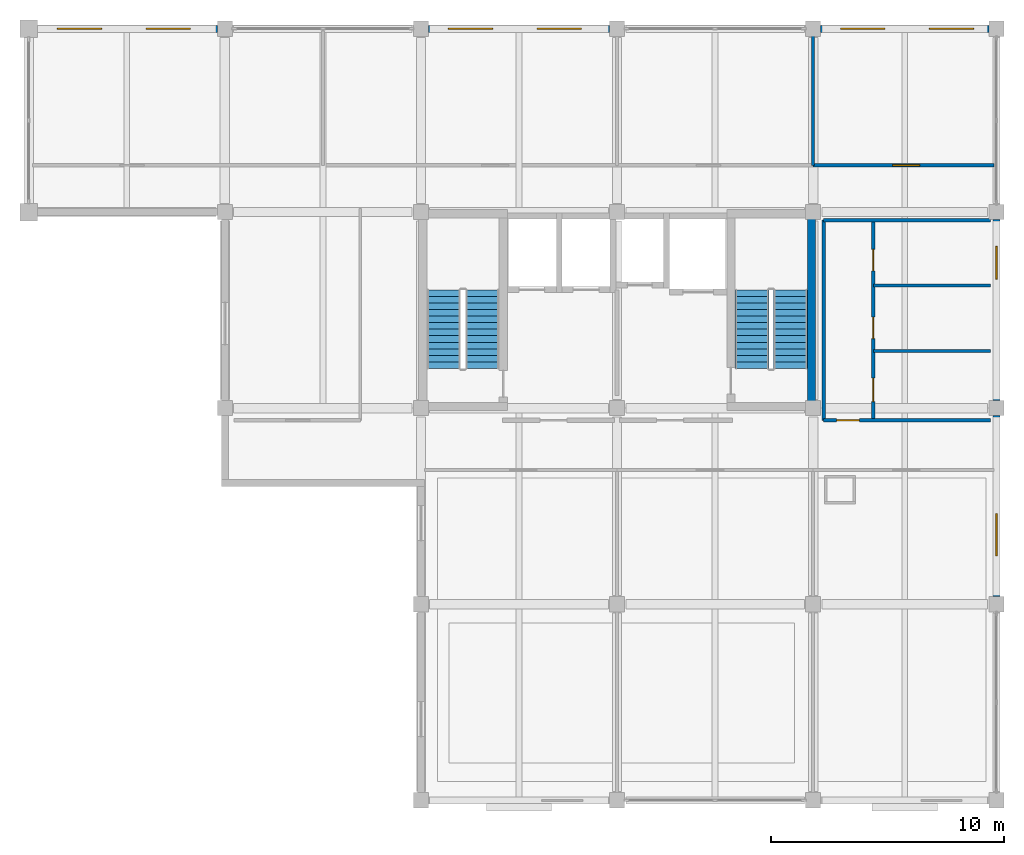
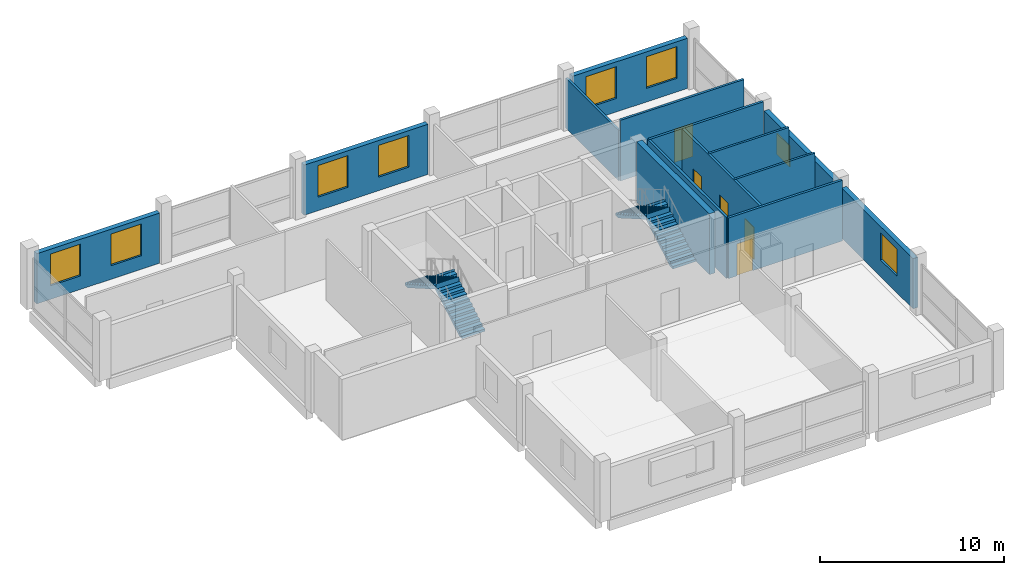
# One storey, part 8 of 9: 14 walls, 8 windows, 5 doors, 4 stair flights, 13 openings, 2 elements without a shape of their own.
"""IFC4 building model written with IfcOpenShell, lengths in metres."""

from ifc_helpers import new_model, si_unit, direction, frame, frame_2d, origin, place, context, subcontext, project, spatial, polyline, rectangle, outline, extrude, material, layer, layer_set, type_object, element, fill, aggregate, save


model = new_model("IFC4")

# Units and contexts
model_context = context("Model", 3, precision=1e-05, world=origin(), true_north=direction((0.0, 1.0)))
body_context = subcontext(model_context, "Body", "Model", "MODEL_VIEW")
ifc_project = project(units=[si_unit("LENGTHUNIT", "METRE"), si_unit("AREAUNIT", "SQUARE_METRE"), si_unit("VOLUMEUNIT", "CUBIC_METRE"), si_unit("PLANEANGLEUNIT", "RADIAN"), si_unit("MASSUNIT", "GRAM", prefix="KILO")], contexts=[model_context])

# Site, building, storey
site_placement = place(None, origin())
site = spatial("IfcSite", under=ifc_project, at=site_placement, CompositionType="ELEMENT")
building_placement = place(site_placement, origin())
building = spatial("IfcBuilding", under=site, at=building_placement, Name="Brinegate Botanical Conservatory", CompositionType="ELEMENT")
storey_placement = place(building_placement, frame((0.0, 0.0, 57.0)))
storey = spatial("IfcBuildingStorey", under=building, at=storey_placement, Name="L14", CompositionType="ELEMENT", Elevation=57.0)

# Wall, openings, windows
ifc_material_1 = material(Name="Insulated Minnan red clay brick masonry", Category="masonry")
ifc_layer_1 = layer(ifc_material_1, 0.300048828125, Name="Insulated Minnan red clay brick masonry", Category="masonry")
ifc_layer_set_1 = layer_set([ifc_layer_1], Name="Insulated Minnan red clay brick masonry")
wall_type_1 = type_object("IfcWallType", Name="Wall_EW-300B", PredefinedType="STANDARD", material=ifc_layer_set_1)
wall_1_placement = place(storey_placement, frame((122.375, 111.449951171875, 0.0), z_axis=(0.0, 0.0, 1.0), x_axis=(1.0, 0.0, 0.0)))
wall_1 = element("IfcWall", 1, at=wall_1_placement, inside=storey, type_object=wall_type_1, Name="Research lab north brick wall L14.1", PredefinedType="STANDARD", context=body_context, shape_type="SweptSolid", body=[
    extrude(rectangle(XDim=7.699951171875, YDim=0.300048828125, at=frame_2d((3.85009765625, 0.0))), origin(), (0.0, 0.0, 1.0), 3.320068359375),
])
opening_1_placement = place(wall_1_placement, frame((0.85009765625, 0.0, 0.89990234375)))
opening_1 = element("IfcOpeningElement", 2, at=opening_1_placement, cuts=wall_1, Name="Opening WN-19", PredefinedType="OPENING", context=body_context, shape_type="SweptSolid", body=[
    extrude(rectangle(XDim=1.89990234375, YDim=2.10009765625, at=frame_2d((0.949951171875, 1.050048828125))), frame((0.0, 0.159912109375, 0.0), z_axis=(0.0, -1.0, 0.0), x_axis=(1.0, 0.0, 0.0)), (0.0, 0.0, 1.0), 0.320068359375),
])
opening_2_placement = place(wall_1_placement, frame((4.64990234375, 0.0, 0.89990234375)))
opening_2 = element("IfcOpeningElement", 3, at=opening_2_placement, cuts=wall_1, Name="Opening WN-19", PredefinedType="OPENING", context=body_context, shape_type="SweptSolid", body=[
    extrude(rectangle(XDim=1.89990234375, YDim=2.10009765625, at=frame_2d((0.949951171875, 1.050048828125))), frame((0.0, 0.159912109375, 0.0), z_axis=(0.0, -1.0, 0.0), x_axis=(1.0, 0.0, 0.0)), (0.0, 0.0, 1.0), 0.320068359375),
])
ifc_material_2 = material(Name="Thermally broken aluminium-framed Low-E glass", Category="aluminium")
window_type_1 = type_object("IfcWindowType", Name="Win_WN-19", PartitioningType="DOUBLE_PANEL_VERTICAL", PredefinedType="WINDOW", material=ifc_material_2)
window_1_placement = place(opening_1_placement, origin())
window_1 = element("IfcWindow", 4, at=window_1_placement, inside=storey, type_object=window_type_1, Name="Research lab north window L14.1A", OverallHeight=2.10009765625, OverallWidth=1.89990234375, PartitioningType="DOUBLE_PANEL_VERTICAL", PredefinedType="WINDOW", context=body_context, shape_type="SweptSolid", body=[
    extrude(rectangle(XDim=1.89990234375, YDim=2.10009765625, at=frame_2d((0.949951171875, 1.050048828125))), frame((0.0, 0.030029296875, 0.0), z_axis=(0.0, -1.0, 0.0), x_axis=(1.0, 0.0, 0.0)), (0.0, 0.0, 1.0), 0.06005859375),
])
fill(opening_1, window_1)
window_2_placement = place(opening_2_placement, origin())
window_2 = element("IfcWindow", 5, at=window_2_placement, inside=storey, type_object=window_type_1, Name="Research lab north window L14.1B", OverallHeight=2.10009765625, OverallWidth=1.89990234375, PartitioningType="DOUBLE_PANEL_VERTICAL", PredefinedType="WINDOW", context=body_context, shape_type="SweptSolid", body=[
    extrude(rectangle(XDim=1.89990234375, YDim=2.10009765625, at=frame_2d((0.949951171875, 1.050048828125))), frame((0.0, 0.030029296875, 0.0), z_axis=(0.0, -1.0, 0.0), x_axis=(1.0, 0.0, 0.0)), (0.0, 0.0, 1.0), 0.06005859375),
])
fill(opening_2, window_2)

wall_2_placement = place(storey_placement, frame((139.125, 111.449951171875, 0.0), z_axis=(0.0, 0.0, 1.0), x_axis=(1.0, 0.0, 0.0)))
wall_2 = element("IfcWall", 6, at=wall_2_placement, inside=storey, type_object=wall_type_1, Name="Research lab north brick wall L14.3", PredefinedType="STANDARD", context=body_context, shape_type="SweptSolid", body=[
    extrude(rectangle(XDim=7.75, YDim=0.300048828125, at=frame_2d((3.875, 0.0))), origin(), (0.0, 0.0, 1.0), 3.320068359375),
])
opening_3_placement = place(wall_2_placement, frame((0.85009765625, 0.0, 0.89990234375)))
opening_3 = element("IfcOpeningElement", 7, at=opening_3_placement, cuts=wall_2, Name="Opening WN-19", PredefinedType="OPENING", context=body_context, shape_type="SweptSolid", body=[
    extrude(rectangle(XDim=1.89990234375, YDim=2.10009765625, at=frame_2d((0.949951171875, 1.050048828125))), frame((0.0, 0.159912109375, 0.0), z_axis=(0.0, -1.0, 0.0), x_axis=(1.0, 0.0, 0.0)), (0.0, 0.0, 1.0), 0.320068359375),
])
opening_4_placement = place(wall_2_placement, frame((4.64990234375, 0.0, 0.89990234375)))
opening_4 = element("IfcOpeningElement", 8, at=opening_4_placement, cuts=wall_2, Name="Opening WN-19", PredefinedType="OPENING", context=body_context, shape_type="SweptSolid", body=[
    extrude(rectangle(XDim=1.89990234375, YDim=2.10009765625, at=frame_2d((0.949951171875, 1.050048828125))), frame((0.0, 0.159912109375, 0.0), z_axis=(0.0, -1.0, 0.0), x_axis=(1.0, 0.0, 0.0)), (0.0, 0.0, 1.0), 0.320068359375),
])
window_3_placement = place(opening_3_placement, origin())
window_3 = element("IfcWindow", 9, at=window_3_placement, inside=storey, type_object=window_type_1, Name="Research lab north window L14.3A", OverallHeight=2.10009765625, OverallWidth=1.89990234375, PartitioningType="DOUBLE_PANEL_VERTICAL", PredefinedType="WINDOW", context=body_context, shape_type="SweptSolid", body=[
    extrude(rectangle(XDim=1.89990234375, YDim=2.10009765625, at=frame_2d((0.949951171875, 1.050048828125))), frame((0.0, 0.030029296875, 0.0), z_axis=(0.0, -1.0, 0.0), x_axis=(1.0, 0.0, 0.0)), (0.0, 0.0, 1.0), 0.06005859375),
])
fill(opening_3, window_3)
window_4_placement = place(opening_4_placement, origin())
window_4 = element("IfcWindow", 10, at=window_4_placement, inside=storey, type_object=window_type_1, Name="Research lab north window L14.3B", OverallHeight=2.10009765625, OverallWidth=1.89990234375, PartitioningType="DOUBLE_PANEL_VERTICAL", PredefinedType="WINDOW", context=body_context, shape_type="SweptSolid", body=[
    extrude(rectangle(XDim=1.89990234375, YDim=2.10009765625, at=frame_2d((0.949951171875, 1.050048828125))), frame((0.0, 0.030029296875, 0.0), z_axis=(0.0, -1.0, 0.0), x_axis=(1.0, 0.0, 0.0)), (0.0, 0.0, 1.0), 0.06005859375),
])
fill(opening_4, window_4)

wall_3_placement = place(storey_placement, frame((155.925048828125, 111.449951171875, 0.0), z_axis=(0.0, 0.0, 1.0), x_axis=(1.0, 0.0, 0.0)))
wall_3 = element("IfcWall", 11, at=wall_3_placement, inside=storey, type_object=wall_type_1, Name="Research lab north brick wall L14.5", PredefinedType="STANDARD", context=body_context, shape_type="SweptSolid", body=[
    extrude(rectangle(XDim=7.199951171875, YDim=0.300048828125, at=frame_2d((3.60009765625, 0.0))), origin(), (0.0, 0.0, 1.0), 3.320068359375),
])
opening_5_placement = place(wall_3_placement, frame((0.85009765625, 0.0, 0.89990234375)))
opening_5 = element("IfcOpeningElement", 12, at=opening_5_placement, cuts=wall_3, Name="Opening WN-19", PredefinedType="OPENING", context=body_context, shape_type="SweptSolid", body=[
    extrude(rectangle(XDim=1.89990234375, YDim=2.10009765625, at=frame_2d((0.949951171875, 1.050048828125))), frame((0.0, 0.159912109375, 0.0), z_axis=(0.0, -1.0, 0.0), x_axis=(1.0, 0.0, 0.0)), (0.0, 0.0, 1.0), 0.320068359375),
])
opening_6_placement = place(wall_3_placement, frame((4.64990234375, 0.0, 0.89990234375)))
opening_6 = element("IfcOpeningElement", 13, at=opening_6_placement, cuts=wall_3, Name="Opening WN-19", PredefinedType="OPENING", context=body_context, shape_type="SweptSolid", body=[
    extrude(rectangle(XDim=1.89990234375, YDim=2.10009765625, at=frame_2d((0.949951171875, 1.050048828125))), frame((0.0, 0.159912109375, 0.0), z_axis=(0.0, -1.0, 0.0), x_axis=(1.0, 0.0, 0.0)), (0.0, 0.0, 1.0), 0.320068359375),
])
window_5_placement = place(opening_5_placement, origin())
window_5 = element("IfcWindow", 14, at=window_5_placement, inside=storey, type_object=window_type_1, Name="Research lab north window L14.5A", OverallHeight=2.10009765625, OverallWidth=1.89990234375, PartitioningType="DOUBLE_PANEL_VERTICAL", PredefinedType="WINDOW", context=body_context, shape_type="SweptSolid", body=[
    extrude(rectangle(XDim=1.89990234375, YDim=2.10009765625, at=frame_2d((0.949951171875, 1.050048828125))), frame((0.0, 0.030029296875, 0.0), z_axis=(0.0, -1.0, 0.0), x_axis=(1.0, 0.0, 0.0)), (0.0, 0.0, 1.0), 0.06005859375),
])
fill(opening_5, window_5)
window_6_placement = place(opening_6_placement, origin())
window_6 = element("IfcWindow", 15, at=window_6_placement, inside=storey, type_object=window_type_1, Name="Research lab north window L14.5B", OverallHeight=2.10009765625, OverallWidth=1.89990234375, PartitioningType="DOUBLE_PANEL_VERTICAL", PredefinedType="WINDOW", context=body_context, shape_type="SweptSolid", body=[
    extrude(rectangle(XDim=1.89990234375, YDim=2.10009765625, at=frame_2d((0.949951171875, 1.050048828125))), frame((0.0, 0.030029296875, 0.0), z_axis=(0.0, -1.0, 0.0), x_axis=(1.0, 0.0, 0.0)), (0.0, 0.0, 1.0), 0.06005859375),
])
fill(opening_6, window_6)

# Wall, opening, window
wall_4_placement = place(storey_placement, frame((163.449951171875, 94.875, 0.0), z_axis=(0.0, 0.0, 1.0), x_axis=(0.0, -1.0, 0.0)))
wall_4 = element("IfcWall", 16, at=wall_4_placement, inside=storey, type_object=wall_type_1, Name="Tower east brick wall L14.2", PredefinedType="STANDARD", context=body_context, shape_type="SweptSolid", body=[
    extrude(rectangle(XDim=7.75, YDim=0.300048828125, at=frame_2d((3.875, 0.0))), origin(), (0.0, 0.0, 1.0), 3.320068359375),
])
opening_7_placement = place(wall_4_placement, frame((4.199951171875, 0.0, 1.10009765625)))
opening_7 = element("IfcOpeningElement", 17, at=opening_7_placement, cuts=wall_4, Name="Opening WN-05", PredefinedType="OPENING", context=body_context, shape_type="SweptSolid", body=[
    extrude(rectangle(XDim=1.800048828125, YDim=1.800048828125, at=frame_2d((0.89990234375, 0.89990234375))), frame((0.0, 0.159912109375, 0.0), z_axis=(0.0, -1.0, 0.0), x_axis=(1.0, 0.0, 0.0)), (0.0, 0.0, 1.0), 0.320068359375),
])
window_type_2 = type_object("IfcWindowType", Name="Win_WN-05", PartitioningType="DOUBLE_PANEL_VERTICAL", PredefinedType="WINDOW", material=ifc_material_2)
window_7_placement = place(opening_7_placement, origin())
window_7 = element("IfcWindow", 18, at=window_7_placement, inside=storey, type_object=window_type_2, Name="Tower east window L14.2", OverallHeight=1.800048828125, OverallWidth=1.800048828125, PartitioningType="DOUBLE_PANEL_VERTICAL", PredefinedType="WINDOW", context=body_context, shape_type="SweptSolid", body=[
    extrude(rectangle(XDim=1.800048828125, YDim=1.800048828125, at=frame_2d((0.89990234375, 0.89990234375))), frame((0.0, 0.030029296875, 0.0), z_axis=(0.0, -1.0, 0.0), x_axis=(1.0, 0.0, 0.0)), (0.0, 0.0, 1.0), 0.06005859375),
])
fill(opening_7, window_7)

wall_5_placement = place(storey_placement, frame((163.449951171875, 103.27490234375, 0.0), z_axis=(0.0, 0.0, 1.0), x_axis=(0.0, -1.0, 0.0)))
wall_5 = element("IfcWall", 19, at=wall_5_placement, inside=storey, type_object=wall_type_1, Name="Tower east brick wall L14.3", PredefinedType="STANDARD", context=body_context, shape_type="SweptSolid", body=[
    extrude(rectangle(XDim=7.75, YDim=0.300048828125, at=frame_2d((3.875, 0.0))), origin(), (0.0, 0.0, 1.0), 3.320068359375),
])
opening_8_placement = place(wall_5_placement, frame((1.14990234375, 0.0, 1.10009765625)))
opening_8 = element("IfcOpeningElement", 20, at=opening_8_placement, cuts=wall_5, Name="Opening WN-16", PredefinedType="OPENING", context=body_context, shape_type="SweptSolid", body=[
    extrude(rectangle(XDim=1.39990234375, YDim=1.39990234375, at=frame_2d((0.699951171875, 0.699951171875))), frame((0.0, 0.159912109375, 0.0), z_axis=(0.0, -1.0, 0.0), x_axis=(1.0, 0.0, 0.0)), (0.0, 0.0, 1.0), 0.320068359375),
])
window_type_3 = type_object("IfcWindowType", Name="Win_WN-16", PartitioningType="SINGLE_PANEL", PredefinedType="WINDOW", material=ifc_material_2)
window_8_placement = place(opening_8_placement, origin())
window_8 = element("IfcWindow", 21, at=window_8_placement, inside=storey, type_object=window_type_3, Name="Tower east window L14.3", OverallHeight=1.39990234375, OverallWidth=1.39990234375, PartitioningType="SINGLE_PANEL", PredefinedType="WINDOW", context=body_context, shape_type="SweptSolid", body=[
    extrude(rectangle(XDim=1.39990234375, YDim=1.39990234375, at=frame_2d((0.699951171875, 0.699951171875))), frame((0.0, 0.030029296875, 0.0), z_axis=(0.0, -1.0, 0.0), x_axis=(1.0, 0.0, 0.0)), (0.0, 0.0, 1.0), 0.06005859375),
])
fill(opening_8, window_8)

# Walls
ifc_material_3 = material(Name="Gypsum-clad steel-stud partition", Category="steel")
ifc_layer_2 = layer(ifc_material_3, 0.135009765625, Name="Gypsum-clad steel-stud partition", Category="steel")
ifc_layer_set_2 = layer_set([ifc_layer_2], Name="Gypsum-clad steel-stud partition")
wall_type_2 = type_object("IfcWallType", Name="Wall_PW-135", PredefinedType="PARTITIONING", material=ifc_layer_set_2)
for number, where, z_axis, x_axis, name in (
    (22, (158.179931640625, 97.64990234375, 0.0), (0.0, 0.0, 1.0), (1.0, 0.0, 0.0), "Interior partition P-L14-WCD-9765"),
    (23, (158.179931640625, 100.449951171875, 0.0), (0.0, 0.0, 1.0), (1.0, 0.0, 0.0), "Interior partition P-L14-WCD-10045"),
):
    element("IfcWall", number, at=place(storey_placement, frame(where, z_axis=z_axis, x_axis=x_axis)), inside=storey, type_object=wall_type_2, Name=name, PredefinedType="PARTITIONING", context=body_context, shape_type="SweptSolid", body=[
        extrude(rectangle(XDim=5.02001953125, YDim=0.135009765625, at=frame_2d((2.510009765625, 0.0))), origin(), (0.0, 0.0, 1.0), 4.02001953125),
    ])
wall_6_placement = place(storey_placement, frame((155.60009765625, 105.60009765625, 0.0), z_axis=(0.0, 0.0, 1.0), x_axis=(0.0, 1.0, 0.0)))
element("IfcWall", 24, at=wall_6_placement, inside=storey, type_object=wall_type_2, Name="Interior partition P-L14-NDIV-N4", PredefinedType="PARTITIONING", context=body_context, shape_type="SweptSolid", body=[
    extrude(rectangle(XDim=5.75, YDim=0.135009765625, at=frame_2d((2.875, 0.0))), origin(), (0.0, 0.0, 1.0), 3.320068359375),
])

# Wall, opening, door
ifc_material_4 = material(Name="Gypsum-clad acoustic steel-stud partition", Category="steel")
ifc_layer_3 = layer(ifc_material_4, 0.14501953125, Name="Gypsum-clad acoustic steel-stud partition", Category="steel")
ifc_layer_set_3 = layer_set([ifc_layer_3], Name="Gypsum-clad acoustic steel-stud partition")
wall_type_3 = type_object("IfcWallType", Name="Wall_PW-150", PredefinedType="PARTITIONING", material=ifc_layer_set_3)
wall_7_placement = place(storey_placement, frame((155.60009765625, 105.60009765625, 0.0), z_axis=(0.0, 0.0, 1.0), x_axis=(1.0, 0.0, 0.0)))
wall_7 = element("IfcWall", 25, at=wall_7_placement, inside=storey, type_object=wall_type_3, Name="Interior partition P-L14-NB-N4", PredefinedType="PARTITIONING", context=body_context, shape_type="SweptSolid", body=[
    extrude(rectangle(XDim=7.75, YDim=0.14501953125, at=frame_2d((3.875, 0.0))), origin(), (0.0, 0.0, 1.0), 4.02001953125),
])
opening_9_placement = place(wall_7_placement, frame((3.39990234375, 0.0, 0.0)))
opening_9 = element("IfcOpeningElement", 26, at=opening_9_placement, cuts=wall_7, Name="Opening DR-18", PredefinedType="OPENING", context=body_context, shape_type="SweptSolid", body=[
    extrude(rectangle(XDim=1.159912109375, YDim=2.199951171875, at=frame_2d((0.580078125, 1.10009765625))), frame((0.0, 0.08251953125, 0.0), z_axis=(0.0, -1.0, 0.0), x_axis=(1.0, 0.0, 0.0)), (0.0, 0.0, 1.0), 0.1650390625),
])
ifc_material_5 = material(Name="Hardwood office timber leaf", Category="wood")
door_type_1 = type_object("IfcDoorType", Name="Door_DR-18", OperationType="NOTDEFINED", PredefinedType="DOOR", material=ifc_material_5)
door_1_placement = place(opening_9_placement, origin())
door_1 = element("IfcDoor", 27, at=door_1_placement, inside=storey, type_object=door_type_1, Name="DR-P-L14-NB-N4-1", OperationType="SINGLE_SWING_RIGHT", OverallHeight=2.199951171875, OverallWidth=1.159912109375, PredefinedType="DOOR", context=body_context, shape_type="SweptSolid", body=[
    extrude(rectangle(XDim=1.159912109375, YDim=2.199951171875, at=frame_2d((0.580078125, 1.10009765625))), frame((0.0, 0.02490234375, 0.0), z_axis=(0.0, -1.0, 0.0), x_axis=(1.0, 0.0, 0.0)), (0.0, 0.0, 1.0), 0.050048828125),
])
fill(opening_9, door_1)

ifc_material_6 = material(Name="Moisture-resistant cement-board partition", Category="gypsum")
ifc_layer_4 = layer(ifc_material_6, 0.14990234375, Name="Moisture-resistant cement-board partition", Category="gypsum")
ifc_layer_set_4 = layer_set([ifc_layer_4], Name="Moisture-resistant cement-board partition")
wall_type_4 = type_object("IfcWallType", Name="Wall_PW-150W", PredefinedType="PARTITIONING", material=ifc_layer_set_4)
wall_8_placement = place(storey_placement, frame((156.050048828125, 94.679931640625, 0.0), z_axis=(0.0, 0.0, 1.0), x_axis=(1.0, 0.0, 0.0)))
wall_8 = element("IfcWall", 28, at=wall_8_placement, inside=storey, type_object=wall_type_4, Name="Interior partition P-L14-WCS", PredefinedType="PARTITIONING", context=body_context, shape_type="SweptSolid", body=[
    extrude(rectangle(XDim=7.14990234375, YDim=0.14990234375, at=frame_2d((3.574951171875, 0.0))), origin(), (0.0, 0.0, 1.0), 4.02001953125),
])
opening_10_placement = place(wall_8_placement, frame((0.550048828125, 0.0, 0.0)))
opening_10 = element("IfcOpeningElement", 29, at=opening_10_placement, cuts=wall_8, Name="Opening DR-03", PredefinedType="OPENING", context=body_context, shape_type="SweptSolid", body=[
    extrude(rectangle(XDim=0.97998046875, YDim=2.1201171875, at=frame_2d((0.489990234375, 1.06005859375))), frame((0.0, 0.0849609375, 0.0), z_axis=(0.0, -1.0, 0.0), x_axis=(1.0, 0.0, 0.0)), (0.0, 0.0, 1.0), 0.169921875),
])
ifc_material_7 = material(Name="Steel-core hardwood smoke-sealed fire door", Category="steel")
door_type_2 = type_object("IfcDoorType", Name="Door_DR-03", OperationType="NOTDEFINED", PredefinedType="DOOR", material=ifc_material_7)
door_2_placement = place(opening_10_placement, origin())
door_2 = element("IfcDoor", 30, at=door_2_placement, inside=storey, type_object=door_type_2, Name="DR-P-L14-WCS-1", OperationType="SINGLE_SWING_LEFT", OverallHeight=2.1201171875, OverallWidth=0.97998046875, PredefinedType="DOOR", context=body_context, shape_type="SweptSolid", body=[
    extrude(rectangle(XDim=0.97998046875, YDim=2.1201171875, at=frame_2d((0.489990234375, 1.06005859375))), frame((0.0, 0.02490234375, 0.0), z_axis=(0.0, -1.0, 0.0), x_axis=(1.0, 0.0, 0.0)), (0.0, 0.0, 1.0), 0.050048828125),
])
fill(opening_10, door_2)

# Wall, openings, doors
wall_9_placement = place(storey_placement, frame((158.179931640625, 94.679931640625, 0.0), z_axis=(0.0, 0.0, 1.0), x_axis=(0.0, 1.0, 0.0)))
wall_9 = element("IfcWall", 31, at=wall_9_placement, inside=storey, type_object=wall_type_4, Name="Interior partition P-L14-WCW", PredefinedType="PARTITIONING", context=body_context, shape_type="SweptSolid", body=[
    extrude(rectangle(XDim=8.570068359375, YDim=0.14990234375, at=frame_2d((4.28515625, 0.0))), origin(), (0.0, 0.0, 1.0), 4.02001953125),
])
opening_11_placement = place(wall_9_placement, frame((0.800048828125, 0.0, 0.0)))
opening_11 = element("IfcOpeningElement", 32, at=opening_11_placement, cuts=wall_9, Name="Opening DR-ACC", PredefinedType="OPENING", context=body_context, shape_type="SweptSolid", body=[
    extrude(rectangle(XDim=1.0, YDim=2.1201171875, at=frame_2d((0.5, 1.06005859375))), frame((0.0, 0.0849609375, 0.0), z_axis=(0.0, -1.0, 0.0), x_axis=(1.0, 0.0, 0.0)), (0.0, 0.0, 1.0), 0.169921875),
])
opening_12_placement = place(wall_9_placement, frame((3.5, 0.0, 0.0)))
opening_12 = element("IfcOpeningElement", 33, at=opening_12_placement, cuts=wall_9, Name="Opening DR-04", PredefinedType="OPENING", context=body_context, shape_type="SweptSolid", body=[
    extrude(rectangle(XDim=0.919921875, YDim=2.10009765625, at=frame_2d((0.4599609375, 1.050048828125))), frame((0.0, 0.0849609375, 0.0), z_axis=(0.0, -1.0, 0.0), x_axis=(1.0, 0.0, 0.0)), (0.0, 0.0, 1.0), 0.169921875),
])
opening_13_placement = place(wall_9_placement, frame((6.39990234375, 0.0, 0.0)))
opening_13 = element("IfcOpeningElement", 34, at=opening_13_placement, cuts=wall_9, Name="Opening DR-04", PredefinedType="OPENING", context=body_context, shape_type="SweptSolid", body=[
    extrude(rectangle(XDim=0.919921875, YDim=2.10009765625, at=frame_2d((0.4599609375, 1.050048828125))), frame((0.0, 0.0849609375, 0.0), z_axis=(0.0, -1.0, 0.0), x_axis=(1.0, 0.0, 0.0)), (0.0, 0.0, 1.0), 0.169921875),
])
ifc_material_8 = material(Name="Moisture-resistant laminate timber leaf", Category="wood")
door_type_3 = type_object("IfcDoorType", Name="Door_DR-04", OperationType="NOTDEFINED", PredefinedType="DOOR", material=ifc_material_8)
door_3_placement = place(opening_12_placement, origin())
door_3 = element("IfcDoor", 35, at=door_3_placement, inside=storey, type_object=door_type_3, Name="DR-P-L14-WCW-2", OperationType="SINGLE_SWING_RIGHT", OverallHeight=2.10009765625, OverallWidth=0.919921875, PredefinedType="DOOR", context=body_context, shape_type="SweptSolid", body=[
    extrude(rectangle(XDim=0.919921875, YDim=2.10009765625, at=frame_2d((0.4599609375, 1.050048828125))), frame((0.0, 0.02490234375, 0.0), z_axis=(0.0, -1.0, 0.0), x_axis=(1.0, 0.0, 0.0)), (0.0, 0.0, 1.0), 0.050048828125),
])
fill(opening_12, door_3)
door_4_placement = place(opening_13_placement, origin())
door_4 = element("IfcDoor", 36, at=door_4_placement, inside=storey, type_object=door_type_3, Name="DR-P-L14-WCW-3", OperationType="SINGLE_SWING_LEFT", OverallHeight=2.10009765625, OverallWidth=0.919921875, PredefinedType="DOOR", context=body_context, shape_type="SweptSolid", body=[
    extrude(rectangle(XDim=0.919921875, YDim=2.10009765625, at=frame_2d((0.4599609375, 1.050048828125))), frame((0.0, 0.02490234375, 0.0), z_axis=(0.0, -1.0, 0.0), x_axis=(1.0, 0.0, 0.0)), (0.0, 0.0, 1.0), 0.050048828125),
])
fill(opening_13, door_4)
ifc_material_9 = material(Name="Moisture-resistant barrier-free timber leaf", Category="wood")
door_type_4 = type_object("IfcDoorType", Name="Door_DR-ACC", OperationType="NOTDEFINED", PredefinedType="DOOR", material=ifc_material_9)
door_5_placement = place(opening_11_placement, origin())
door_5 = element("IfcDoor", 37, at=door_5_placement, inside=storey, type_object=door_type_4, Name="DR-P-L14-WCW-1", OperationType="SINGLE_SWING_LEFT", OverallHeight=2.1201171875, OverallWidth=1.0, PredefinedType="DOOR", context=body_context, shape_type="SweptSolid", body=[
    extrude(rectangle(XDim=1.0, YDim=2.1201171875, at=frame_2d((0.5, 1.06005859375))), frame((0.0, 0.02490234375, 0.0), z_axis=(0.0, -1.0, 0.0), x_axis=(1.0, 0.0, 0.0)), (0.0, 0.0, 1.0), 0.050048828125),
])
fill(opening_11, door_5)

# Walls
wall_10_placement = place(storey_placement, frame((156.050048828125, 103.25, 0.0), z_axis=(0.0, 0.0, 1.0), x_axis=(1.0, 0.0, 0.0)))
element("IfcWall", 38, at=wall_10_placement, inside=storey, type_object=wall_type_4, Name="Interior partition P-L14-WCN", PredefinedType="PARTITIONING", context=body_context, shape_type="SweptSolid", body=[
    extrude(rectangle(XDim=7.14990234375, YDim=0.14990234375, at=frame_2d((3.574951171875, 0.0))), origin(), (0.0, 0.0, 1.0), 4.02001953125),
])
wall_11_placement = place(storey_placement, frame((156.050048828125, 94.679931640625, 0.0), z_axis=(0.0, 0.0, 1.0), x_axis=(0.0, 1.0, 0.0)))
element("IfcWall", 39, at=wall_11_placement, inside=storey, type_object=wall_type_4, Name="Interior partition P-L14-WCWW", PredefinedType="PARTITIONING", context=body_context, shape_type="SweptSolid", body=[
    extrude(rectangle(XDim=8.570068359375, YDim=0.14990234375, at=frame_2d((4.28515625, 0.0))), origin(), (0.0, 0.0, 1.0), 4.02001953125),
])
ifc_material_10 = material(Name="Concrete C40/50", Category="concrete")
ifc_layer_5 = layer(ifc_material_10, 0.35009765625, Name="Concrete C40/50", Category="concrete")
ifc_layer_set_5 = layer_set([ifc_layer_5], Name="Concrete C40/50")
wall_type_5 = type_object("IfcWallType", Name="Wall_SW-350", PredefinedType="SHEAR", material=ifc_layer_set_5)
wall_12_placement = place(storey_placement, frame((155.52490234375, 95.449951171875, 0.0), z_axis=(0.0, 0.0, 1.0), x_axis=(0.0, 1.0, 0.0)))
element("IfcWall", 40, at=wall_12_placement, inside=storey, type_object=wall_type_5, Name="Stairwell ST2 shear wall L14 E", PredefinedType="SHEAR", context=body_context, shape_type="SweptSolid", body=[
    extrude(rectangle(XDim=7.900146484375, YDim=0.35009765625, at=frame_2d((3.9501953125, 0.0))), origin(), (0.0, 0.0, 1.0), 4.02001953125),
])

# Stair, stair flights
stair_type = type_object("IfcStairType", Name="Stair_HT-4200", PredefinedType="HALF_TURN_STAIR", material=ifc_material_10)
stair_1_placement = place(storey_placement, origin())
stair_1 = element("IfcStair", 41, at=stair_1_placement, inside=storey, type_object=stair_type, Name="L14 Tower West Smoke-Proof Stair ST1", PredefinedType="HALF_TURN_STAIR")
stair_flight_type = type_object("IfcStairFlightType", Name="Flight_SF-4200", PredefinedType="STRAIGHT", material=ifc_material_10)
stair_flight_1_placement = place(storey_placement, frame((141.425048828125, 96.89990234375, 0.0), z_axis=(0.0, 0.0, 1.0), x_axis=(0.0, 1.0, 0.0)))
stair_flight_1 = element("IfcStairFlight", 42, at=stair_flight_1_placement, type_object=stair_flight_type, Name="ST1 flight 1", NumberOfRisers=13, NumberOfTreads=12, PredefinedType="STRAIGHT", RiserHeight=0.161538462, TreadLength=0.28, context=body_context, shape_type="SweptSolid", body=[
    extrude(outline(polyline([(-0.00048828125, 0.0), (-0.00048828125, 0.16162109375), (0.280029296875, 0.16162109375), (0.280029296875, 0.322998046875), (0.56005859375, 0.322998046875), (0.56005859375, 0.484619140625), (0.840087890625, 0.484619140625), (0.840087890625, 0.646240234375), (1.1201171875, 0.646240234375), (1.1201171875, 0.8076171875), (1.39990234375, 0.8076171875), (1.39990234375, 0.96923828125), (1.679931640625, 0.96923828125), (1.679931640625, 1.130859375), (1.9599609375, 1.130859375), (1.9599609375, 1.292236328125), (2.239990234375, 1.292236328125), (2.239990234375, 1.453857421875), (2.52001953125, 1.453857421875), (2.52001953125, 1.615478515625), (2.800048828125, 1.615478515625), (2.800048828125, 1.77685546875), (3.080078125, 1.77685546875), (3.080078125, 1.9384765625), (3.360107421875, 1.9384765625), (3.360107421875, 2.10009765625), (3.360595703125, 2.10009765625), (3.360595703125, 1.765380859375), (0.300048828125, 0.0), (-0.00048828125, 0.0)])), frame((0.0, 0.72509765625, 0.0), z_axis=(0.0, -1.0, 0.0), x_axis=(1.0, 0.0, 0.0)), (0.0, 0.0, 1.0), 1.449951171875),
])
stair_flight_2_placement = place(storey_placement, frame((139.77490234375, 100.260009765625, 2.10009765625), z_axis=(0.0, 0.0, 1.0), x_axis=(0.0, -1.0, 0.0)))
stair_flight_2 = element("IfcStairFlight", 43, at=stair_flight_2_placement, type_object=stair_flight_type, Name="ST1 flight 2", NumberOfRisers=13, NumberOfTreads=12, PredefinedType="STRAIGHT", RiserHeight=0.161538462, TreadLength=0.28, context=body_context, shape_type="SweptSolid", body=[
    extrude(outline(polyline([(-0.00048828125, 0.0), (-0.00048828125, 0.16162109375), (0.280029296875, 0.16162109375), (0.280029296875, 0.322998046875), (0.56005859375, 0.322998046875), (0.56005859375, 0.484619140625), (0.840087890625, 0.484619140625), (0.840087890625, 0.646240234375), (1.1201171875, 0.646240234375), (1.1201171875, 0.8076171875), (1.39990234375, 0.8076171875), (1.39990234375, 0.96923828125), (1.679931640625, 0.96923828125), (1.679931640625, 1.130859375), (1.9599609375, 1.130859375), (1.9599609375, 1.292236328125), (2.239990234375, 1.292236328125), (2.239990234375, 1.453857421875), (2.52001953125, 1.453857421875), (2.52001953125, 1.615478515625), (2.800048828125, 1.615478515625), (2.800048828125, 1.77685546875), (3.080078125, 1.77685546875), (3.080078125, 1.9384765625), (3.360107421875, 1.9384765625), (3.360107421875, 2.10009765625), (3.360595703125, 2.10009765625), (3.360595703125, 1.765380859375), (0.300048828125, 0.0), (-0.00048828125, 0.0)])), frame((0.0, 0.72509765625, 0.0), z_axis=(0.0, -1.0, 0.0), x_axis=(1.0, 0.0, 0.0)), (0.0, 0.0, 1.0), 1.449951171875),
])
aggregate(stair_1, [stair_flight_1, stair_flight_2])

stair_2_placement = place(storey_placement, origin())
stair_2 = element("IfcStair", 44, at=stair_2_placement, inside=storey, type_object=stair_type, Name="L14 Tower East Smoke-Proof Stair ST2", PredefinedType="HALF_TURN_STAIR")
stair_flight_3_placement = place(storey_placement, frame((154.625, 96.89990234375, 0.0), z_axis=(0.0, 0.0, 1.0), x_axis=(0.0, 1.0, 0.0)))
stair_flight_3 = element("IfcStairFlight", 45, at=stair_flight_3_placement, type_object=stair_flight_type, Name="ST2 flight 1", NumberOfRisers=13, NumberOfTreads=12, PredefinedType="STRAIGHT", RiserHeight=0.161538462, TreadLength=0.28, context=body_context, shape_type="SweptSolid", body=[
    extrude(outline(polyline([(-0.00048828125, 0.0), (-0.00048828125, 0.16162109375), (0.280029296875, 0.16162109375), (0.280029296875, 0.322998046875), (0.56005859375, 0.322998046875), (0.56005859375, 0.484619140625), (0.840087890625, 0.484619140625), (0.840087890625, 0.646240234375), (1.1201171875, 0.646240234375), (1.1201171875, 0.8076171875), (1.39990234375, 0.8076171875), (1.39990234375, 0.96923828125), (1.679931640625, 0.96923828125), (1.679931640625, 1.130859375), (1.9599609375, 1.130859375), (1.9599609375, 1.292236328125), (2.239990234375, 1.292236328125), (2.239990234375, 1.453857421875), (2.52001953125, 1.453857421875), (2.52001953125, 1.615478515625), (2.800048828125, 1.615478515625), (2.800048828125, 1.77685546875), (3.080078125, 1.77685546875), (3.080078125, 1.9384765625), (3.360107421875, 1.9384765625), (3.360107421875, 2.10009765625), (3.360595703125, 2.10009765625), (3.360595703125, 1.765380859375), (0.300048828125, 0.0), (-0.00048828125, 0.0)])), frame((0.0, 0.72509765625, 0.0), z_axis=(0.0, -1.0, 0.0), x_axis=(1.0, 0.0, 0.0)), (0.0, 0.0, 1.0), 1.449951171875),
])
stair_flight_4_placement = place(storey_placement, frame((152.97509765625, 100.260009765625, 2.10009765625), z_axis=(0.0, 0.0, 1.0), x_axis=(0.0, -1.0, 0.0)))
stair_flight_4 = element("IfcStairFlight", 46, at=stair_flight_4_placement, type_object=stair_flight_type, Name="ST2 flight 2", NumberOfRisers=13, NumberOfTreads=12, PredefinedType="STRAIGHT", RiserHeight=0.161538462, TreadLength=0.28, context=body_context, shape_type="SweptSolid", body=[
    extrude(outline(polyline([(-0.00048828125, 0.0), (-0.00048828125, 0.16162109375), (0.280029296875, 0.16162109375), (0.280029296875, 0.322998046875), (0.56005859375, 0.322998046875), (0.56005859375, 0.484619140625), (0.840087890625, 0.484619140625), (0.840087890625, 0.646240234375), (1.1201171875, 0.646240234375), (1.1201171875, 0.8076171875), (1.39990234375, 0.8076171875), (1.39990234375, 0.96923828125), (1.679931640625, 0.96923828125), (1.679931640625, 1.130859375), (1.9599609375, 1.130859375), (1.9599609375, 1.292236328125), (2.239990234375, 1.292236328125), (2.239990234375, 1.453857421875), (2.52001953125, 1.453857421875), (2.52001953125, 1.615478515625), (2.800048828125, 1.615478515625), (2.800048828125, 1.77685546875), (3.080078125, 1.77685546875), (3.080078125, 1.9384765625), (3.360107421875, 1.9384765625), (3.360107421875, 2.10009765625), (3.360595703125, 2.10009765625), (3.360595703125, 1.765380859375), (0.300048828125, 0.0), (-0.00048828125, 0.0)])), frame((0.0, 0.72509765625, 0.0), z_axis=(0.0, -1.0, 0.0), x_axis=(1.0, 0.0, 0.0)), (0.0, 0.0, 1.0), 1.449951171875),
])
aggregate(stair_2, [stair_flight_3, stair_flight_4])

save(model, "model.ifc")
